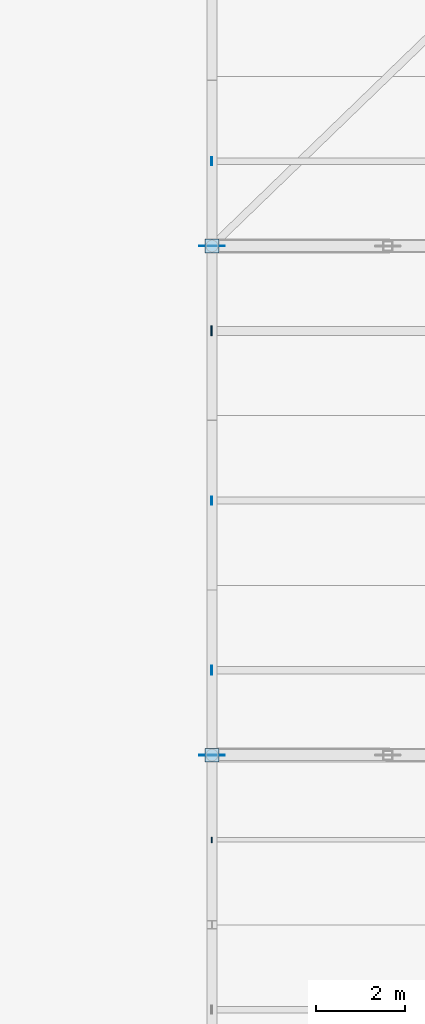
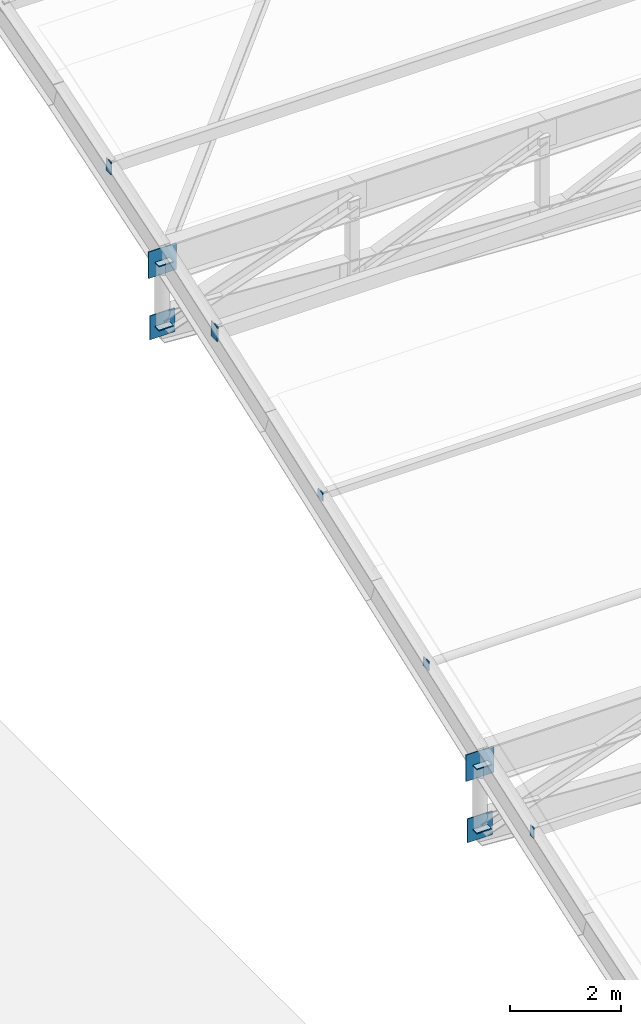
# One storey, part 36 of 65: 13 plates.
"""IFC4 building model written with IfcOpenShell, lengths in metres."""

from ifc_helpers import new_model, si_unit, direction, frame, origin, origin_2d, place, context, subcontext, project, spatial, rectangle, extrude, material, layer, layer_set, type_object, element, save


model = new_model("IFC4")

# Units and contexts
model_context = context("Model", 3, precision=1e-05, world=origin(), true_north=direction((0.0, 1.0)))
body_context = subcontext(model_context, "Body", "Model", "MODEL_VIEW")
ifc_project = project(units=[si_unit("LENGTHUNIT", "METRE"), si_unit("AREAUNIT", "SQUARE_METRE"), si_unit("VOLUMEUNIT", "CUBIC_METRE"), si_unit("PLANEANGLEUNIT", "RADIAN"), si_unit("MASSUNIT", "GRAM", prefix="KILO"), si_unit("POWERUNIT", "WATT"), si_unit("THERMODYNAMICTEMPERATUREUNIT", "KELVIN")], contexts=[model_context])

# Site, building, storey
site_placement = place(None, origin())
site = spatial("IfcSite", under=ifc_project, at=site_placement, CompositionType="ELEMENT")
building_placement = place(site_placement, origin())
building = spatial("IfcBuilding", under=site, at=building_placement, Name="Kelmbourne Parkland Aquatics Centre", CompositionType="ELEMENT")
storey_placement = place(building_placement, frame((0.0, 0.0, 27.0)))
storey = spatial("IfcBuildingStorey", under=building, at=storey_placement, Name="RF", CompositionType="ELEMENT", Elevation=27.0)

# Plates
ifc_material = material(Name="Welded plate steel AS/NZS 3678 Grade 350", Category="steel")
ifc_layer_1 = layer(ifc_material, 0.02001953125)
ifc_layer_set_1 = layer_set([ifc_layer_1], Name="Welded plate steel AS/NZS 3678 Grade 350")
plate_type_1 = type_object("IfcPlateType", Name="PL-CAP-20", PredefinedType="USERDEFINED", material=ifc_layer_set_1)
plate_1_placement = place(storey_placement, frame((127.990966796875, 78.699951171875, -7.756103515625), z_axis=(0.0, 0.0, 1.0), x_axis=(-1.0, 0.0, 0.0)))
element("IfcPlate", 1, at=plate_1_placement, inside=storey, type_object=plate_type_1, Name="Hollow end cap plate CAP-0461", ObjectType="END CAP PLATE", PredefinedType="USERDEFINED", context=body_context, shape_type="SweptSolid", body=[
    extrude(rectangle(XDim=0.02001953125, YDim=0.1298828125, at=origin_2d()), origin(), (0.0, 0.0, 1.0), 0.22998046875),
])
plate_2_placement = place(storey_placement, frame((127.990966796875, 82.5, -6.36572265625), z_axis=(0.0, 0.0, 1.0), x_axis=(-1.0, 0.0, 0.0)))
element("IfcPlate", 2, at=plate_2_placement, inside=storey, type_object=plate_type_1, Name="Hollow end cap plate CAP-0469", ObjectType="END CAP PLATE", PredefinedType="USERDEFINED", context=body_context, shape_type="SweptSolid", body=[
    extrude(rectangle(XDim=0.02001953125, YDim=0.1982421875, at=origin_2d()), origin(), (0.0, 0.0, 1.0), 0.1982421875),
])
plate_3_placement = place(storey_placement, frame((127.990966796875, 86.300048828125, -4.96240234375), z_axis=(0.0, 0.0, 1.0), x_axis=(-1.0, 0.0, 0.0)))
element("IfcPlate", 3, at=plate_3_placement, inside=storey, type_object=plate_type_1, Name="Hollow end cap plate CAP-0477", ObjectType="END CAP PLATE", PredefinedType="USERDEFINED", context=body_context, shape_type="SweptSolid", body=[
    extrude(rectangle(XDim=0.02001953125, YDim=0.179931640625, at=origin_2d()), origin(), (0.0, 0.0, 1.0), 0.179931640625),
])
plate_4_placement = place(storey_placement, frame((127.990966796875, 93.89990234375, -2.42431640625), z_axis=(0.0, 0.0, 1.0), x_axis=(-1.0, 0.0, 0.0)))
element("IfcPlate", 4, at=plate_4_placement, inside=storey, type_object=plate_type_1, Name="Hollow end cap plate CAP-0493", ObjectType="END CAP PLATE", PredefinedType="USERDEFINED", context=body_context, shape_type="SweptSolid", body=[
    extrude(rectangle(XDim=0.02001953125, YDim=0.179931640625, at=origin_2d()), origin(), (0.0, 0.0, 1.0), 0.280029296875),
])
ifc_layer_2 = layer(ifc_material, 0.02392578125)
ifc_layer_set_2 = layer_set([ifc_layer_2], Name="Welded plate steel AS/NZS 3678 Grade 350")
plate_type_2 = type_object("IfcPlateType", Name="PL-CAP-24", PredefinedType="USERDEFINED", material=ifc_layer_set_2)
for number, where, z_axis, x_axis, name in (
    (5, (128.0, 80.60009765625, -8.7080078125), (0.0, 0.0, 1.0), (1.0, 0.0, 0.0), "Hollow end cap plate CAP-0197"),
    (6, (128.0, 80.60009765625, -7.30615234375), (0.0, 0.0, 1.0), (1.0, 0.0, 0.0), "Hollow end cap plate CAP-0198"),
    (7, (128.0, 92.0, -4.60595703125), (0.0, 0.0, 1.0), (1.0, 0.0, 0.0), "Hollow end cap plate CAP-0223"),
    (8, (128.0, 92.0, -3.203857421875), (0.0, 0.0, 1.0), (1.0, 0.0, 0.0), "Hollow end cap plate CAP-0224"),
):
    element("IfcPlate", number, at=place(storey_placement, frame(where, z_axis=z_axis, x_axis=x_axis)), inside=storey, type_object=plate_type_2, Name=name, ObjectType="END CAP PLATE", PredefinedType="USERDEFINED", context=body_context, shape_type="SweptSolid", body=[
        extrude(rectangle(XDim=0.302978515625, YDim=0.302978515625, at=origin_2d()), origin(), (0.0, 0.0, 1.0), 0.02392578125),
    ])
plate_5_placement = place(storey_placement, frame((127.989013671875, 90.10009765625, -3.75390625), z_axis=(0.0, 0.0, 1.0), x_axis=(-1.0, 0.0, 0.0)))
element("IfcPlate", 9, at=plate_5_placement, inside=storey, type_object=plate_type_2, Name="Hollow end cap plate CAP-0485", ObjectType="END CAP PLATE", PredefinedType="USERDEFINED", context=body_context, shape_type="SweptSolid", body=[
    extrude(rectangle(XDim=0.02392578125, YDim=0.22998046875, at=origin_2d()), origin(), (0.0, 0.0, 1.0), 0.330078125),
])
ifc_layer_3 = layer(ifc_material, 0.02001953125)
ifc_layer_set_3 = layer_set([ifc_layer_3], Name="Welded plate steel AS/NZS 3678 Grade 350")
plate_type_3 = type_object("IfcPlateType", Name="PL-GUS-1", PredefinedType="USERDEFINED", material=ifc_layer_set_3)
plate_6_placement = place(storey_placement, frame((128.0, 80.60009765625, -7.59521484375), z_axis=(0.0, 0.0, 1.0), x_axis=(1.0, 0.0, 0.0)))
element("IfcPlate", 10, at=plate_6_placement, inside=storey, type_object=plate_type_3, Name="Truss top node TN-1 gusset plate R07-N0", ObjectType="GUSSET PLATE", PredefinedType="USERDEFINED", context=body_context, shape_type="SweptSolid", body=[
    extrude(rectangle(XDim=0.580078125, YDim=0.02001953125, at=origin_2d()), origin(), (0.0, 0.0, 1.0), 0.580078125),
])
plate_7_placement = place(storey_placement, frame((128.0, 80.60009765625, -8.945068359375), z_axis=(0.0, 0.0, 1.0), x_axis=(1.0, 0.0, 0.0)))
element("IfcPlate", 11, at=plate_7_placement, inside=storey, type_object=plate_type_3, Name="Truss bottom node TN-1 gusset plate R07-B0", ObjectType="GUSSET PLATE", PredefinedType="USERDEFINED", context=body_context, shape_type="SweptSolid", body=[
    extrude(rectangle(XDim=0.52001953125, YDim=0.02001953125, at=origin_2d()), origin(), (0.0, 0.0, 1.0), 0.52001953125),
])
plate_8_placement = place(storey_placement, frame((128.0, 92.0, -3.492919921875), z_axis=(0.0, 0.0, 1.0), x_axis=(1.0, 0.0, 0.0)))
element("IfcPlate", 12, at=plate_8_placement, inside=storey, type_object=plate_type_3, Name="Truss top node TN-1 gusset plate R08-N0", ObjectType="GUSSET PLATE", PredefinedType="USERDEFINED", context=body_context, shape_type="SweptSolid", body=[
    extrude(rectangle(XDim=0.580078125, YDim=0.02001953125, at=origin_2d()), origin(), (0.0, 0.0, 1.0), 0.580078125),
])
plate_9_placement = place(storey_placement, frame((128.0, 92.0, -4.843017578125), z_axis=(0.0, 0.0, 1.0), x_axis=(1.0, 0.0, 0.0)))
element("IfcPlate", 13, at=plate_9_placement, inside=storey, type_object=plate_type_3, Name="Truss bottom node TN-1 gusset plate R08-B0", ObjectType="GUSSET PLATE", PredefinedType="USERDEFINED", context=body_context, shape_type="SweptSolid", body=[
    extrude(rectangle(XDim=0.52001953125, YDim=0.02001953125, at=origin_2d()), origin(), (0.0, 0.0, 1.0), 0.52001953125),
])

save(model, "model.ifc")
